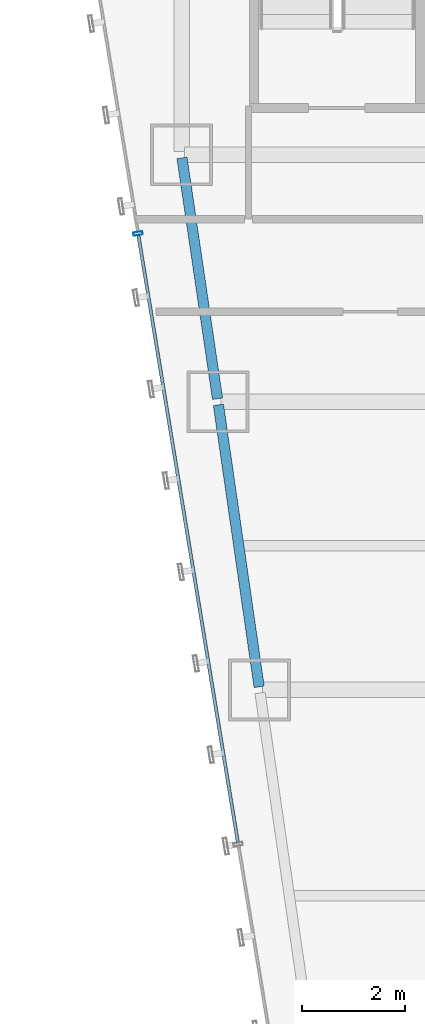
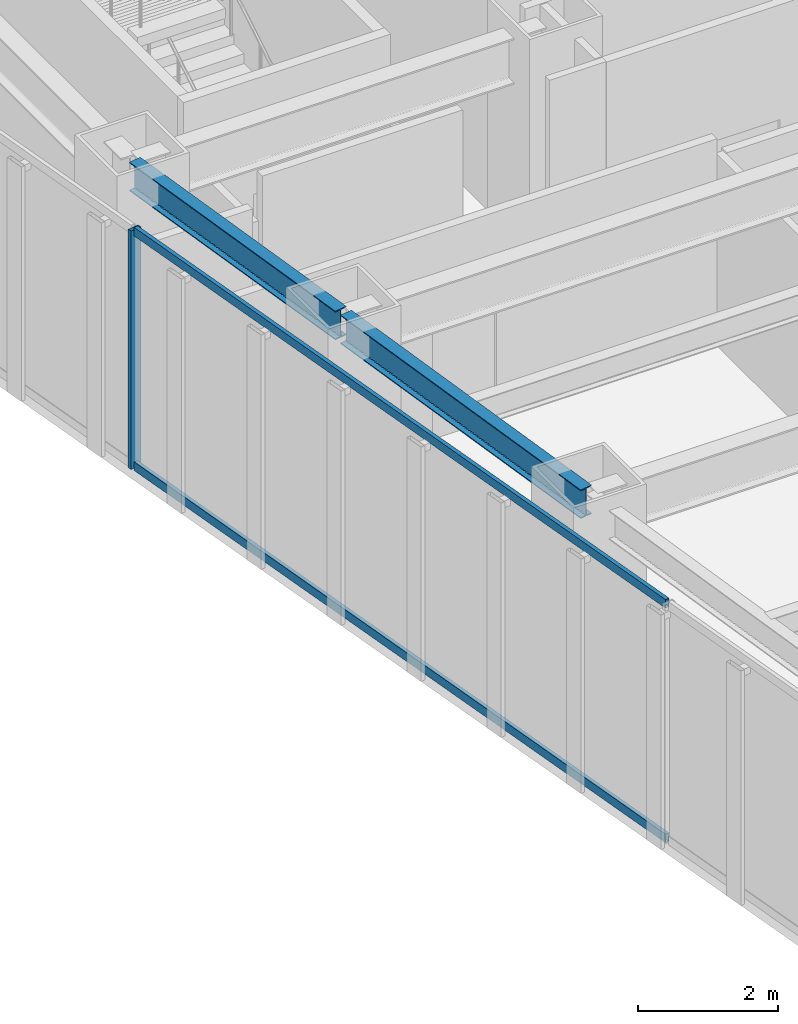
# One storey, part 22 of 47: 3 members, 2 beams, 1 element without a shape of its own.
"""IFC4 building model written with IfcOpenShell, lengths in metres."""

from ifc_helpers import new_model, si_unit, direction, frame, origin, origin_2d, place, context, subcontext, project, spatial, hollow_rectangle, i_section, extrude, material, material_profile, profile_set, type_object, element, aggregate, save


model = new_model("IFC4")

# Units and contexts
model_context = context("Model", 3, precision=1e-05, world=origin(), true_north=direction((0.0, 1.0)))
body_context = subcontext(model_context, "Body", "Model", "MODEL_VIEW")
ifc_project = project(units=[si_unit("LENGTHUNIT", "METRE"), si_unit("AREAUNIT", "SQUARE_METRE"), si_unit("VOLUMEUNIT", "CUBIC_METRE"), si_unit("PLANEANGLEUNIT", "RADIAN"), si_unit("MASSUNIT", "GRAM", prefix="KILO")], contexts=[model_context])

# Site, building, storey
site_placement = place(None, origin())
site = spatial("IfcSite", under=ifc_project, at=site_placement, CompositionType="ELEMENT")
building_placement = place(site_placement, origin())
building = spatial("IfcBuilding", under=site, at=building_placement, Name="Saevonmaru Cultural Tower", CompositionType="ELEMENT")
storey_placement = place(building_placement, frame((0.0, 0.0, 56.0)))
storey = spatial("IfcBuildingStorey", under=building, at=storey_placement, Name="L11", CompositionType="ELEMENT", Elevation=56.0)

# Beams
ifc_material_1 = material(Name="Steel SM355", Category="steel")
ifc_material_profile_1 = material_profile(ifc_material_1, i_section(OverallWidth=0.199951171875, OverallDepth=0.5, WebThickness=0.010009765625, FlangeThickness=0.01611328125, FilletRadius=0.02001953125, at=origin_2d()), Name="H-500x200x10x16")
ifc_profile_set_1 = profile_set([ifc_material_profile_1], Name="Steel SM355")
beam_type = type_object("IfcBeamType", Name="BM-SP-H500", PredefinedType="SPANDREL", material=ifc_profile_set_1)
beam_1_placement = place(storey_placement, frame((8.308349609375, 32.059326171875, 3.89990234375), z_axis=(-0.142964121327, 0.989727871697, 0.0), x_axis=(-0.989727871697, -0.142964121327, 0.0)))
element("IfcBeam", 1, at=beam_1_placement, inside=storey, type_object=beam_type, Name="L11 West Splayed Spandrel 5", PredefinedType="SPANDREL", context=body_context, shape_type="SweptSolid", body=[
    extrude(i_section(OverallWidth=0.199951171875, OverallDepth=0.5, WebThickness=0.010009765625, FlangeThickness=0.01611328125, FilletRadius=0.02001953125, at=origin_2d()), origin(), (0.0, 0.0, 1.0), 5.5380859375),
])
beam_2_placement = place(storey_placement, frame((7.499267578125, 37.659423828125, 3.89990234375), z_axis=(-0.145912860028, 0.989297446312, 0.0), x_axis=(-0.989297446312, -0.145912860028, 0.0)))
element("IfcBeam", 2, at=beam_2_placement, inside=storey, type_object=beam_type, Name="L11 West Splayed Spandrel 6", PredefinedType="SPANDREL", context=body_context, shape_type="SweptSolid", body=[
    extrude(i_section(OverallWidth=0.199951171875, OverallDepth=0.5, WebThickness=0.010009765625, FlangeThickness=0.01611328125, FilletRadius=0.02001953125, at=origin_2d()), origin(), (0.0, 0.0, 1.0), 4.731689453125),
])

# Curtain wall, members
ifc_material_2 = material(Name="Satin Bronze Anodised Aluminium", Category="aluminium")
curtain_wall_type = type_object("IfcCurtainWallType", Name="CW-TYP-A", PredefinedType="NOTDEFINED", material=ifc_material_2)
curtain_wall_placement = place(storey_placement, origin())
curtain_wall = element("IfcCurtainWall", 3, at=curtain_wall_placement, inside=storey, type_object=curtain_wall_type, Name="L11 Unitised Curtain Wall E12", PredefinedType="NOTDEFINED")
ifc_material_profile_2 = material_profile(ifc_material_2, hollow_rectangle(XDim=0.06494140625, YDim=0.179931640625, WallThickness=0.00390625, at=origin_2d()), Name="ALU-MULL-180x65x4")
ifc_profile_set_2 = profile_set([ifc_material_profile_2], Name="Satin Bronze Anodised Aluminium")
member_type_1 = type_object("IfcMemberType", Name="ML-CW-180x65", PredefinedType="MULLION", material=ifc_profile_set_2)
member_1_placement = place(storey_placement, frame((5.954833984375, 40.870361328125, 0.0), z_axis=(0.0, 0.0, 1.0), x_axis=(0.161708868641, -0.986838508472, 0.0)))
member_1 = element("IfcMember", 4, at=member_1_placement, type_object=member_type_1, Name="CW-TW-L11-E12 mullion 2", PredefinedType="MULLION", context=body_context, shape_type="SweptSolid", body=[
    extrude(hollow_rectangle(XDim=0.06494140625, YDim=0.179931640625, WallThickness=0.00390625, at=origin_2d()), origin(), (0.0, 0.0, 1.0), 4.14990234375),
])
ifc_material_profile_3 = material_profile(ifc_material_2, hollow_rectangle(XDim=0.06494140625, YDim=0.14990234375, WallThickness=0.00390625, at=origin_2d()), Name="ALU-TRAN-150x65x4")
ifc_profile_set_3 = profile_set([ifc_material_profile_3], Name="Satin Bronze Anodised Aluminium")
member_type_2 = type_object("IfcMemberType", Name="TR-CW-150x65", PredefinedType="USERDEFINED", material=ifc_profile_set_3)
member_2_placement = place(storey_placement, frame((5.960205078125, 40.83837890625, 0.032470703125), z_axis=(0.161701400727, -0.986839732177, 0.0), x_axis=(0.986839732177, 0.161701400727, 0.0)))
member_2 = element("IfcMember", 5, at=member_2_placement, type_object=member_type_2, Name="CW-TW-L11-E12 transom 2.1", ObjectType="TRANSOM", PredefinedType="USERDEFINED", context=body_context, shape_type="SweptSolid", body=[
    extrude(hollow_rectangle(XDim=0.06494140625, YDim=0.14990234375, WallThickness=0.00390625, at=origin_2d()), origin(), (0.0, 0.0, 1.0), 11.9638671875),
])
member_3_placement = place(storey_placement, frame((5.960205078125, 40.83837890625, 4.117431640625), z_axis=(0.161701400727, -0.986839732177, 0.0), x_axis=(0.986839732177, 0.161701400727, 0.0)))
member_3 = element("IfcMember", 6, at=member_3_placement, type_object=member_type_2, Name="CW-TW-L11-E12 transom 2.2", ObjectType="TRANSOM", PredefinedType="USERDEFINED", context=body_context, shape_type="SweptSolid", body=[
    extrude(hollow_rectangle(XDim=0.06494140625, YDim=0.14990234375, WallThickness=0.00390625, at=origin_2d()), origin(), (0.0, 0.0, 1.0), 11.9638671875),
])
aggregate(curtain_wall, [member_1, member_2, member_3])

save(model, "model.ifc")
